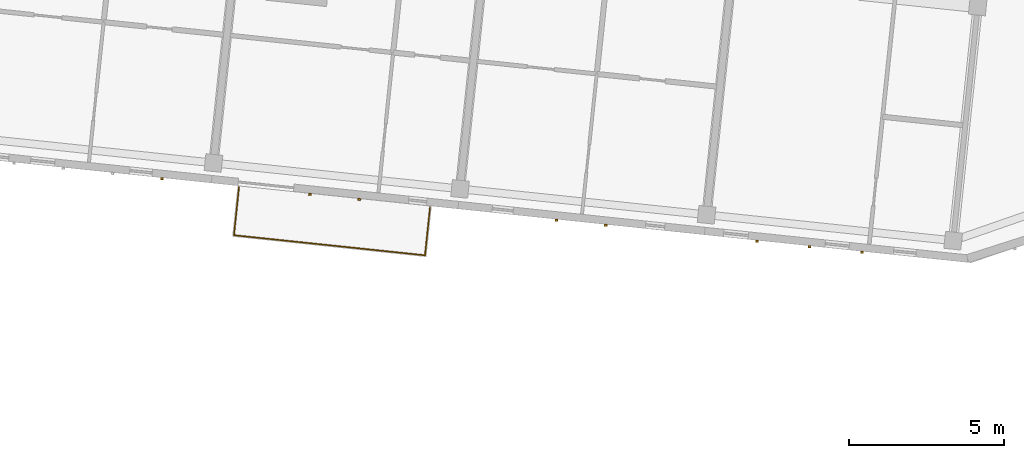
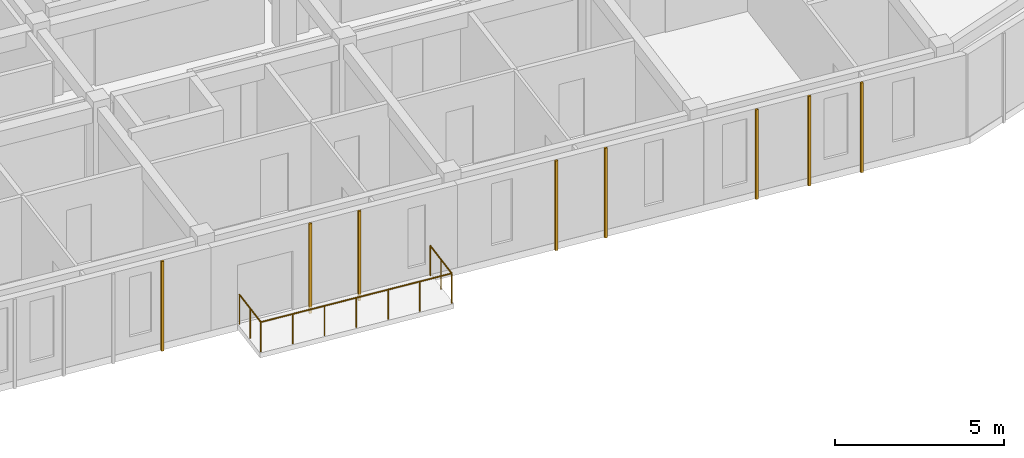
# One storey, part 69 of 74: 8 coverings, 1 railing.
"""IFC4 building model written with IfcOpenShell, lengths in metres."""

from ifc_helpers import new_model, si_unit, direction, frame, origin, origin_2d, place, context, subcontext, project, spatial, rectangle, circle, extrude, material, layer, layer_set, type_object, element, save


model = new_model("IFC4")

# Units and contexts
model_context = context("Model", 3, precision=1e-05, world=origin(), true_north=direction((0.0, 1.0)))
body_context = subcontext(model_context, "Body", "Model", "MODEL_VIEW")
ifc_project = project(units=[si_unit("LENGTHUNIT", "METRE"), si_unit("AREAUNIT", "SQUARE_METRE"), si_unit("VOLUMEUNIT", "CUBIC_METRE"), si_unit("PLANEANGLEUNIT", "RADIAN"), si_unit("MASSUNIT", "GRAM", prefix="KILO")], contexts=[model_context])

# Site, building, storey
site_placement = place(None, origin())
site = spatial("IfcSite", under=ifc_project, at=site_placement, CompositionType="ELEMENT")
building_placement = place(site_placement, origin())
building = spatial("IfcBuilding", under=site, at=building_placement, Name="Kestramere Prow Commons", CompositionType="ELEMENT")
storey_placement = place(building_placement, frame((0.0, 0.0, 11.64990234375)))
storey = spatial("IfcBuildingStorey", under=building, at=storey_placement, Name="L03", CompositionType="ELEMENT", Elevation=11.64990234375)

# Coverings
ifc_material_1 = material(Name="Weathered Zinc-Titanium Standing-Seam Cladding")
ifc_layer = layer(ifc_material_1, 0.074951171875)
ifc_layer_set = layer_set([ifc_layer], Name="Weathered Zinc-Titanium Standing-Seam Cladding")
covering_type = type_object("IfcCoveringType", Name="COV-CLAD-SEAM", PredefinedType="CLADDING", material=ifc_layer_set)
for number, where, z_axis, x_axis, name in (
    (1, (132.20654296875, 91.78466796875, -0.25), (0.0, 0.0, 1.0), (-0.994521895368, 0.104528463268, 0.0), "EW-B-L03-S-2 Standing-Seam Rib 1"),
    (2, (138.5712890625, 91.11572265625, -0.25), (0.0, 0.0, 1.0), (-0.994521895368, 0.104528463268, 0.0), "EW-B-L03-S-3 Standing-Seam Rib 2"),
    (3, (136.980224609375, 91.282958984375, -0.25), (0.0, 0.0, 1.0), (-0.994521895368, 0.104528463268, 0.0), "EW-B-L03-S-3 Standing-Seam Rib 3"),
    (4, (146.527587890625, 90.279541015625, -0.25), (0.0, 0.0, 1.0), (-0.994521895368, 0.104528463268, 0.0), "EW-B-L03-S-4 Standing-Seam Rib 2"),
    (5, (144.936279296875, 90.44677734375, -0.25), (0.0, 0.0, 1.0), (-0.994521895368, 0.104528463268, 0.0), "EW-B-L03-S-4 Standing-Seam Rib 3"),
    (6, (154.797119140625, 89.410400390625, -0.25), (0.0, 0.0, 1.0), (-0.994521895368, 0.104528463268, 0.0), "EW-B-L03-S-5 Standing-Seam Rib 2"),
    (7, (153.101318359375, 89.588623046875, -0.25), (0.0, 0.0, 1.0), (-0.994521895368, 0.104528463268, 0.0), "EW-B-L03-S-5 Standing-Seam Rib 3"),
    (8, (151.40576171875, 89.766845703125, -0.25), (0.0, 0.0, 1.0), (-0.994521895368, 0.104528463268, 0.0), "EW-B-L03-S-5 Standing-Seam Rib 4"),
):
    element("IfcCovering", number, at=place(storey_placement, frame(where, z_axis=z_axis, x_axis=x_axis)), inside=storey, type_object=covering_type, Name=name, PredefinedType="CLADDING", context=body_context, shape_type="SweptSolid", body=[
        extrude(rectangle(XDim=0.0849609375, YDim=0.06494140625, at=origin_2d()), origin(), (0.0, 0.0, 1.0), 3.25),
    ])

# Railing
ifc_material_2 = material(Name="Powder-Coated Aluminium 6063-T6", Category="aluminium")
railing_type = type_object("IfcRailingType", Name="GRD-BALC-1100", PredefinedType="BALUSTRADE", material=ifc_material_2)
railing_placement = place(storey_placement, frame((134.69140625, 91.510986328125, 0.0)))
element("IfcRailing", 9, at=railing_placement, inside=storey, type_object=railing_type, Name="Block B L03 Balcony Guardrail 4", PredefinedType="BALUSTRADE", context=body_context, shape_type="SweptSolid", body=[
    extrude(circle(Radius=0.02392578125, at=origin_2d()), frame((0.0, 0.0, 1.076171875), z_axis=(-0.104538150424, -0.994520877159, 0.0), x_axis=(0.994520877159, -0.104538150424, 0.0)), (0.0, 0.0, 1.0), 1.56005859375),
    extrude(circle(Radius=0.02392578125, at=origin_2d()), frame((-0.1630859375, -1.551513671875, 1.076171875), z_axis=(0.99452399338, -0.104508500096, 0.0), x_axis=(0.104508500096, 0.99452399338, 0.0)), (0.0, 0.0, 1.0), 6.199951171875),
    extrude(circle(Radius=0.02392578125, at=origin_2d()), frame((6.0029296875, -2.199462890625, 1.076171875), z_axis=(0.104538150424, 0.994520877159, 0.0), x_axis=(-0.994520877159, 0.104538150424, 0.0)), (0.0, 0.0, 1.0), 1.56005859375),
    extrude(circle(Radius=0.02099609375, at=origin_2d()), origin(), (0.0, 0.0, 1.0), 1.052001953125),
    extrude(circle(Radius=0.02099609375, at=origin_2d()), frame((-0.08154296875, -0.77587890625, 0.0)), (0.0, 0.0, 1.0), 1.052001953125),
    extrude(circle(Radius=0.02099609375, at=origin_2d()), frame((-0.1630859375, -1.551513671875, 0.0)), (0.0, 0.0, 1.0), 1.052001953125),
    extrude(circle(Radius=0.02099609375, at=origin_2d()), frame((0.864501953125, -1.659423828125, 0.0)), (0.0, 0.0, 1.0), 1.052001953125),
    extrude(circle(Radius=0.02099609375, at=origin_2d()), frame((1.892333984375, -1.767578125, 0.0)), (0.0, 0.0, 1.0), 1.052001953125),
    extrude(circle(Radius=0.02099609375, at=origin_2d()), frame((2.919921875, -1.87548828125, 0.0)), (0.0, 0.0, 1.0), 1.052001953125),
    extrude(circle(Radius=0.02099609375, at=origin_2d()), frame((3.947509765625, -1.9833984375, 0.0)), (0.0, 0.0, 1.0), 1.052001953125),
    extrude(circle(Radius=0.02099609375, at=origin_2d()), frame((4.975341796875, -2.091552734375, 0.0)), (0.0, 0.0, 1.0), 1.052001953125),
    extrude(circle(Radius=0.02099609375, at=origin_2d()), frame((6.0029296875, -2.199462890625, 0.0)), (0.0, 0.0, 1.0), 1.052001953125),
    extrude(circle(Radius=0.02099609375, at=origin_2d()), frame((6.08447265625, -1.423828125, 0.0)), (0.0, 0.0, 1.0), 1.052001953125),
    extrude(circle(Radius=0.02099609375, at=origin_2d()), frame((6.166015625, -0.64794921875, 0.0)), (0.0, 0.0, 1.0), 1.052001953125),
])

save(model, "model.ifc")
